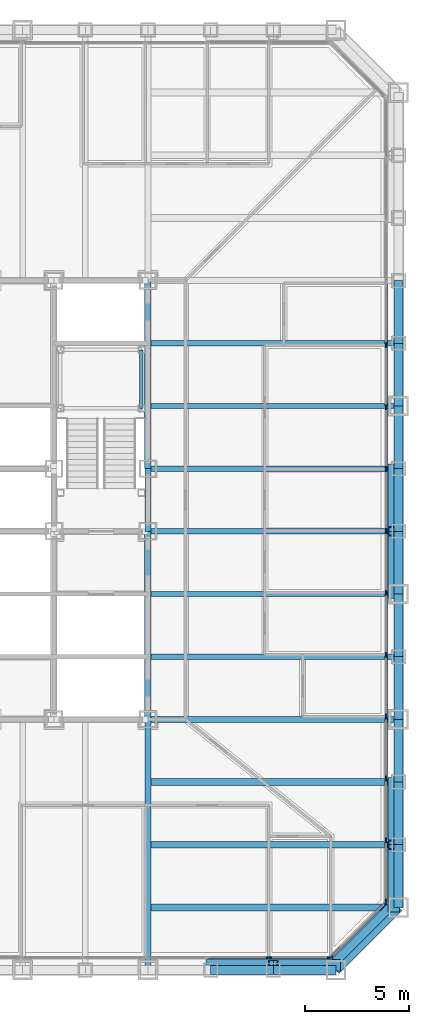
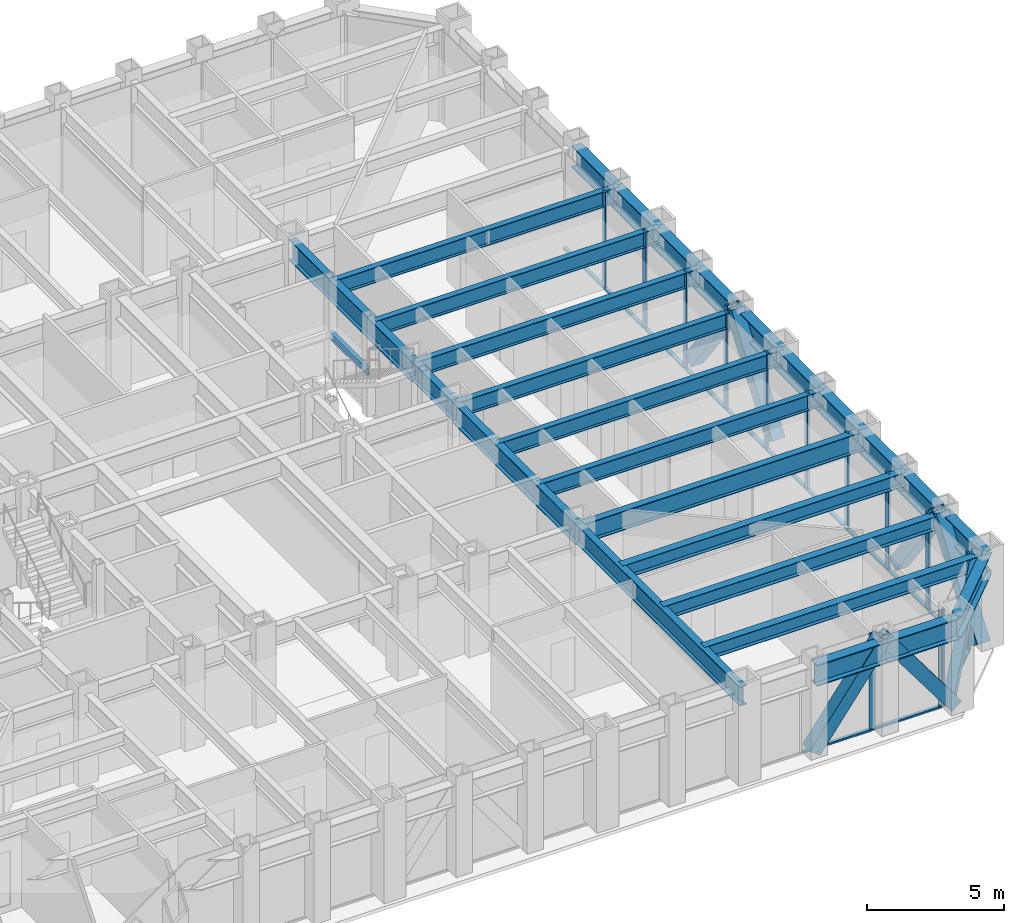
# One storey, part 4 of 17: 34 members, 28 beams, 3 elements without a shape of their own.
"""IFC4 building model written with IfcOpenShell, lengths in metres."""

from ifc_helpers import new_model, si_unit, direction, frame, origin, origin_2d, place, context, subcontext, project, spatial, rectangle, hollow_rectangle, i_section, extrude, material, layer, layer_set, material_profile, profile_set, type_object, element, aggregate, save


model = new_model("IFC4")

# Units and contexts
model_context = context("Model", 3, precision=1e-05, world=origin(), true_north=direction((0.0, 1.0)))
body_context = subcontext(model_context, "Body", "Model", "MODEL_VIEW")
ifc_project = project(units=[si_unit("LENGTHUNIT", "METRE"), si_unit("AREAUNIT", "SQUARE_METRE"), si_unit("VOLUMEUNIT", "CUBIC_METRE"), si_unit("PLANEANGLEUNIT", "RADIAN"), si_unit("MASSUNIT", "GRAM", prefix="KILO")], contexts=[model_context])

# Site, building, storey
site_placement = place(None, origin())
site = spatial("IfcSite", under=ifc_project, at=site_placement, CompositionType="ELEMENT")
building_placement = place(site_placement, origin())
building = spatial("IfcBuilding", under=site, at=building_placement, Name="Chuquiago Exchange Tower", CompositionType="ELEMENT")
storey_placement = place(building_placement, frame((0.0, 0.0, 42.300048828125)))
storey = spatial("IfcBuildingStorey", under=building, at=storey_placement, Name="L08", CompositionType="ELEMENT", Elevation=42.300048828125)

# Beams
ifc_material_1 = material(Name="Steel ASTM A992", Category="steel")
ifc_material_profile_1 = material_profile(ifc_material_1, i_section(OverallWidth=0.307373046875, OverallDepth=0.927001953125, WebThickness=0.01953125, FlangeThickness=0.031982421875, at=origin_2d()), Name="W36X194")
ifc_profile_set_1 = profile_set([ifc_material_profile_1], Name="Steel ASTM A992")
beam_type_1 = type_object("IfcBeamType", Name="B10 W36X194", PredefinedType="BEAM", material=ifc_profile_set_1)
for number, where, z_axis, x_axis, name in (
    (1, (33.0, 12.0, 3.576416015625), (0.0, 1.0, 0.0), (-1.0, 0.0, 0.0), "CB-L09-33_12-33_21"),
    (2, (33.0, 24.0, 3.576416015625), (0.0, 1.0, 0.0), (-1.0, 0.0, 0.0), "CB-L09-33_24-33_33"),
):
    element("IfcBeam", number, at=place(storey_placement, frame(where, z_axis=z_axis, x_axis=x_axis)), inside=storey, type_object=beam_type_1, Name=name, PredefinedType="BEAM", context=body_context, shape_type="SweptSolid", body=[
        extrude(i_section(OverallWidth=0.307373046875, OverallDepth=0.927001953125, WebThickness=0.01953125, FlangeThickness=0.031982421875, at=origin_2d()), origin(), (0.0, 0.0, 1.0), 9.0),
    ])
ifc_material_2 = material(Name="Steel ASTM A992", Category="steel")
ifc_material_profile_2 = material_profile(ifc_material_2, i_section(OverallWidth=0.2919921875, OverallDepth=0.8583984375, WebThickness=0.01708984375, FlangeThickness=0.031005859375, at=origin_2d()), Name="W33X169")
ifc_profile_set_2 = profile_set([ifc_material_profile_2], Name="Steel ASTM A992")
beam_type_2 = type_object("IfcBeamType", Name="B3 W33X169", PredefinedType="BEAM", material=ifc_profile_set_2)
beam_1_placement = place(storey_placement, frame((33.0, 21.0, 3.610595703125), z_axis=(0.0, 1.0, 0.0), x_axis=(-1.0, 0.0, 0.0)))
element("IfcBeam", 3, at=beam_1_placement, inside=storey, type_object=beam_type_2, Name="CB-L09-33_21-33_24", PredefinedType="BEAM", context=body_context, shape_type="SweptSolid", body=[
    extrude(i_section(OverallWidth=0.2919921875, OverallDepth=0.8583984375, WebThickness=0.01708984375, FlangeThickness=0.031005859375, at=origin_2d()), origin(), (0.0, 0.0, 1.0), 3.0),
])
ifc_material_3 = material(Name="Steel ASTM A992", Category="steel")
ifc_material_profile_3 = material_profile(ifc_material_3, i_section(OverallWidth=0.256591796875, OverallDepth=0.693359375, WebThickness=0.014404296875, FlangeThickness=0.023681640625, at=origin_2d()), Name="W27X114")
ifc_profile_set_3 = profile_set([ifc_material_profile_3], Name="Steel ASTM A992")
beam_type_3 = type_object("IfcBeamType", Name="B4 W27X114", PredefinedType="BEAM", material=ifc_profile_set_3)
for number, where, z_axis, x_axis, name in (
    (4, (33.0, 15.0, 3.693359375), (1.0, 0.0, 0.0), (0.0, 1.0, 0.0), "FB-L09-infill-33_15-45_15-0"),
    (5, (33.0, 18.0, 3.693359375), (1.0, 0.0, 0.0), (0.0, 1.0, 0.0), "FB-L09-infill-33_18-45_18-0"),
    (6, (33.0, 21.0, 3.693359375), (1.0, 0.0, 0.0), (0.0, 1.0, 0.0), "FB-L09-infill-33_21-45_21-0"),
    (7, (33.0, 24.0, 3.693359375), (1.0, 0.0, 0.0), (0.0, 1.0, 0.0), "FB-L09-infill-33_24-45_24-0"),
    (8, (33.0, 27.0, 3.693359375), (1.0, 0.0, 0.0), (0.0, 1.0, 0.0), "FB-L09-infill-33_27-45_27-0"),
    (9, (33.0, 30.0, 3.693359375), (1.0, 0.0, 0.0), (0.0, 1.0, 0.0), "FB-L09-infill-33_30-45_30-0"),
):
    element("IfcBeam", number, at=place(storey_placement, frame(where, z_axis=z_axis, x_axis=x_axis)), inside=storey, type_object=beam_type_3, Name=name, PredefinedType="BEAM", context=body_context, shape_type="SweptSolid", body=[
        extrude(i_section(OverallWidth=0.256591796875, OverallDepth=0.693359375, WebThickness=0.014404296875, FlangeThickness=0.023681640625, at=origin_2d()), origin(), (0.0, 0.0, 1.0), 12.0),
    ])
ifc_material_4 = material(Name="Steel ASTM A992", Category="steel")
ifc_material_profile_4 = material_profile(ifc_material_4, i_section(OverallWidth=0.3251953125, OverallDepth=0.6171875, WebThickness=0.013916015625, FlangeThickness=0.021484375, at=origin_2d()), Name="W24X117")
ifc_profile_set_4 = profile_set([ifc_material_profile_4], Name="Steel ASTM A992")
beam_type_4 = type_object("IfcBeamType", Name="B5 W24X117", PredefinedType="BEAM", material=ifc_profile_set_4)
for number, where, z_axis, x_axis, name in (
    (10, (33.0, 3.0, 3.7314453125), (1.0, 0.0, 0.0), (0.0, 1.0, 0.0), "FB-L09-corner-33_3-45_3-0"),
    (11, (33.0, 6.0, 3.7314453125), (1.0, 0.0, 0.0), (0.0, 1.0, 0.0), "FB-L09-corner-33_6-45_6-0"),
    (12, (33.0, 9.0, 3.7314453125), (1.0, 0.0, 0.0), (0.0, 1.0, 0.0), "FB-L09-corner-33_9-45_9-0"),
):
    element("IfcBeam", number, at=place(storey_placement, frame(where, z_axis=z_axis, x_axis=x_axis)), inside=storey, type_object=beam_type_4, Name=name, PredefinedType="BEAM", context=body_context, shape_type="SweptSolid", body=[
        extrude(i_section(OverallWidth=0.3251953125, OverallDepth=0.6171875, WebThickness=0.013916015625, FlangeThickness=0.021484375, at=origin_2d()), origin(), (0.0, 0.0, 1.0), 12.0),
    ])

# Curtain wall, members
ifc_material_5 = material(Name="Aluminium curtain wall system", Category="aluminium")
ifc_layer_1 = layer(ifc_material_5, 0.25)
ifc_layer_set_1 = layer_set([ifc_layer_1], Name="CW1 trading floor curtain wall")
curtain_wall_type_1 = type_object("IfcCurtainWallType", Name="CW1 trading floor curtain wall", PredefinedType="NOTDEFINED", material=ifc_layer_set_1)
curtain_wall_1_placement = place(storey_placement, origin())
curtain_wall_1 = element("IfcCurtainWall", 13, at=curtain_wall_1_placement, inside=storey, type_object=curtain_wall_type_1, Name="CW1 curtain wall L08", PredefinedType="NOTDEFINED")
ifc_material_6 = material(Name="Aluminium mullion, pale anodised", Category="aluminium")
ifc_material_profile_5 = material_profile(ifc_material_6, rectangle(XDim=0.074951171875, YDim=0.25, at=origin_2d()), Name="AL 75x250")
ifc_profile_set_5 = profile_set([ifc_material_profile_5], Name="Aluminium mullion, pale anodised")
member_type_1 = type_object("IfcMemberType", Name="CW1-M mullion 75x250", PredefinedType="MULLION", material=ifc_profile_set_5)
member_1_placement = place(storey_placement, frame((38.789794921875, 0.60009765625, -0.300048828125), z_axis=(0.0, 0.0, 1.0), x_axis=(0.0, 1.0, 0.0)))
member_1 = element("IfcMember", 14, at=member_1_placement, type_object=member_type_1, Name="CW1 mullion 13", PredefinedType="MULLION", context=body_context, shape_type="SweptSolid", body=[
    extrude(rectangle(XDim=0.074951171875, YDim=0.25, at=origin_2d()), origin(), (0.0, 0.0, 1.0), 4.340087890625),
])
member_2_placement = place(storey_placement, frame((41.714111328125, 0.60009765625, -0.300048828125), z_axis=(0.0, 0.0, 1.0), x_axis=(0.0, 1.0, 0.0)))
member_2 = element("IfcMember", 15, at=member_2_placement, type_object=member_type_1, Name="CW1 mullion 14", PredefinedType="MULLION", context=body_context, shape_type="SweptSolid", body=[
    extrude(rectangle(XDim=0.074951171875, YDim=0.25, at=origin_2d()), origin(), (0.0, 0.0, 1.0), 4.340087890625),
])

curtain_wall_2_placement = place(storey_placement, origin())
curtain_wall_2 = element("IfcCurtainWall", 16, at=curtain_wall_2_placement, inside=storey, type_object=curtain_wall_type_1, Name="CW1 curtain wall L08", PredefinedType="NOTDEFINED")
member_3_placement = place(storey_placement, frame((44.39990234375, 3.285888671875, -0.300048828125), z_axis=(0.0, 0.0, 1.0), x_axis=(-1.0, 0.0, 0.0)))
member_3 = element("IfcMember", 17, at=member_3_placement, type_object=member_type_1, Name="CW1 mullion 1", PredefinedType="MULLION", context=body_context, shape_type="SweptSolid", body=[
    extrude(rectangle(XDim=0.074951171875, YDim=0.25, at=origin_2d()), origin(), (0.0, 0.0, 1.0), 4.340087890625),
])
member_4_placement = place(storey_placement, frame((44.39990234375, 6.210205078125, -0.300048828125), z_axis=(0.0, 0.0, 1.0), x_axis=(-1.0, 0.0, 0.0)))
member_4 = element("IfcMember", 18, at=member_4_placement, type_object=member_type_1, Name="CW1 mullion 2", PredefinedType="MULLION", context=body_context, shape_type="SweptSolid", body=[
    extrude(rectangle(XDim=0.074951171875, YDim=0.25, at=origin_2d()), origin(), (0.0, 0.0, 1.0), 4.340087890625),
])
member_5_placement = place(storey_placement, frame((44.39990234375, 9.172119140625, -0.300048828125), z_axis=(0.0, 0.0, 1.0), x_axis=(-1.0, 0.0, 0.0)))
member_5 = element("IfcMember", 19, at=member_5_placement, type_object=member_type_1, Name="CW1 mullion 3", PredefinedType="MULLION", context=body_context, shape_type="SweptSolid", body=[
    extrude(rectangle(XDim=0.074951171875, YDim=0.25, at=origin_2d()), origin(), (0.0, 0.0, 1.0), 4.340087890625),
])
member_6_placement = place(storey_placement, frame((44.39990234375, 12.1337890625, -0.300048828125), z_axis=(0.0, 0.0, 1.0), x_axis=(-1.0, 0.0, 0.0)))
member_6 = element("IfcMember", 20, at=member_6_placement, type_object=member_type_1, Name="CW1 mullion 4", PredefinedType="MULLION", context=body_context, shape_type="SweptSolid", body=[
    extrude(rectangle(XDim=0.074951171875, YDim=0.25, at=origin_2d()), origin(), (0.0, 0.0, 1.0), 4.340087890625),
])
member_7_placement = place(storey_placement, frame((44.39990234375, 15.095458984375, -0.300048828125), z_axis=(0.0, 0.0, 1.0), x_axis=(-1.0, 0.0, 0.0)))
member_7 = element("IfcMember", 21, at=member_7_placement, type_object=member_type_1, Name="CW1 mullion 5", PredefinedType="MULLION", context=body_context, shape_type="SweptSolid", body=[
    extrude(rectangle(XDim=0.074951171875, YDim=0.25, at=origin_2d()), origin(), (0.0, 0.0, 1.0), 4.340087890625),
])
member_8_placement = place(storey_placement, frame((44.39990234375, 18.057373046875, -0.300048828125), z_axis=(0.0, 0.0, 1.0), x_axis=(-1.0, 0.0, 0.0)))
member_8 = element("IfcMember", 22, at=member_8_placement, type_object=member_type_1, Name="CW1 mullion 6", PredefinedType="MULLION", context=body_context, shape_type="SweptSolid", body=[
    extrude(rectangle(XDim=0.074951171875, YDim=0.25, at=origin_2d()), origin(), (0.0, 0.0, 1.0), 4.340087890625),
])
member_9_placement = place(storey_placement, frame((44.39990234375, 21.01904296875, -0.300048828125), z_axis=(0.0, 0.0, 1.0), x_axis=(-1.0, 0.0, 0.0)))
member_9 = element("IfcMember", 23, at=member_9_placement, type_object=member_type_1, Name="CW1 mullion 7", PredefinedType="MULLION", context=body_context, shape_type="SweptSolid", body=[
    extrude(rectangle(XDim=0.074951171875, YDim=0.25, at=origin_2d()), origin(), (0.0, 0.0, 1.0), 4.340087890625),
])
member_10_placement = place(storey_placement, frame((44.39990234375, 23.98095703125, -0.300048828125), z_axis=(0.0, 0.0, 1.0), x_axis=(-1.0, 0.0, 0.0)))
member_10 = element("IfcMember", 24, at=member_10_placement, type_object=member_type_1, Name="CW1 mullion 8", PredefinedType="MULLION", context=body_context, shape_type="SweptSolid", body=[
    extrude(rectangle(XDim=0.074951171875, YDim=0.25, at=origin_2d()), origin(), (0.0, 0.0, 1.0), 4.340087890625),
])
member_11_placement = place(storey_placement, frame((44.39990234375, 26.942626953125, -0.300048828125), z_axis=(0.0, 0.0, 1.0), x_axis=(-1.0, 0.0, 0.0)))
member_11 = element("IfcMember", 25, at=member_11_placement, type_object=member_type_1, Name="CW1 mullion 9", PredefinedType="MULLION", context=body_context, shape_type="SweptSolid", body=[
    extrude(rectangle(XDim=0.074951171875, YDim=0.25, at=origin_2d()), origin(), (0.0, 0.0, 1.0), 4.340087890625),
])
member_12_placement = place(storey_placement, frame((44.39990234375, 29.904541015625, -0.300048828125), z_axis=(0.0, 0.0, 1.0), x_axis=(-1.0, 0.0, 0.0)))
member_12 = element("IfcMember", 26, at=member_12_placement, type_object=member_type_1, Name="CW1 mullion 10", PredefinedType="MULLION", context=body_context, shape_type="SweptSolid", body=[
    extrude(rectangle(XDim=0.074951171875, YDim=0.25, at=origin_2d()), origin(), (0.0, 0.0, 1.0), 4.340087890625),
])

# Member
ifc_material_7 = material(Name="Aluminium transom, pale anodised", Category="aluminium")
ifc_material_profile_6 = material_profile(ifc_material_7, rectangle(XDim=0.14990234375, YDim=0.074951171875, at=origin_2d()), Name="AL 150x75")
ifc_profile_set_6 = profile_set([ifc_material_profile_6], Name="Aluminium transom, pale anodised")
member_type_2 = type_object("IfcMemberType", Name="CW1-T transom 75x150", PredefinedType="MULLION", material=ifc_profile_set_6)
member_13_placement = place(storey_placement, frame((35.865478515625, 0.60009765625, -0.262451171875), z_axis=(1.0, 0.0, 0.0), x_axis=(0.0, 1.0, 0.0)))
member_13 = element("IfcMember", 27, at=member_13_placement, type_object=member_type_2, Name="CW1 transom 12.1", PredefinedType="MULLION", context=body_context, shape_type="SweptSolid", body=[
    extrude(rectangle(XDim=0.14990234375, YDim=0.074951171875, at=origin_2d()), origin(), (0.0, 0.0, 1.0), 2.88671875),
])

member_14_placement = place(storey_placement, frame((38.8271484375, 0.60009765625, -0.262451171875), z_axis=(1.0, 0.0, 0.0), x_axis=(0.0, 1.0, 0.0)))
member_14 = element("IfcMember", 28, at=member_14_placement, type_object=member_type_2, Name="CW1 transom 13.1", PredefinedType="MULLION", context=body_context, shape_type="SweptSolid", body=[
    extrude(rectangle(XDim=0.14990234375, YDim=0.074951171875, at=origin_2d()), origin(), (0.0, 0.0, 1.0), 2.849365234375),
])

aggregate(curtain_wall_1, [member_1, member_2, member_13, member_14])

member_15_placement = place(storey_placement, frame((44.39990234375, 3.323486328125, -0.262451171875), z_axis=(0.0, 1.0, 0.0), x_axis=(-1.0, 0.0, 0.0)))
member_15 = element("IfcMember", 29, at=member_15_placement, type_object=member_type_2, Name="CW1 transom 1.1", PredefinedType="MULLION", context=body_context, shape_type="SweptSolid", body=[
    extrude(rectangle(XDim=0.14990234375, YDim=0.074951171875, at=origin_2d()), origin(), (0.0, 0.0, 1.0), 2.849365234375),
])

member_16_placement = place(storey_placement, frame((44.39990234375, 6.247802734375, -0.262451171875), z_axis=(0.0, 1.0, 0.0), x_axis=(-1.0, 0.0, 0.0)))
member_16 = element("IfcMember", 30, at=member_16_placement, type_object=member_type_2, Name="CW1 transom 2.1", PredefinedType="MULLION", context=body_context, shape_type="SweptSolid", body=[
    extrude(rectangle(XDim=0.14990234375, YDim=0.074951171875, at=origin_2d()), origin(), (0.0, 0.0, 1.0), 2.88671875),
])

member_17_placement = place(storey_placement, frame((44.39990234375, 9.20947265625, -0.262451171875), z_axis=(0.0, 1.0, 0.0), x_axis=(-1.0, 0.0, 0.0)))
member_17 = element("IfcMember", 31, at=member_17_placement, type_object=member_type_2, Name="CW1 transom 3.1", PredefinedType="MULLION", context=body_context, shape_type="SweptSolid", body=[
    extrude(rectangle(XDim=0.14990234375, YDim=0.074951171875, at=origin_2d()), origin(), (0.0, 0.0, 1.0), 2.88671875),
])

member_18_placement = place(storey_placement, frame((44.39990234375, 12.17138671875, -0.262451171875), z_axis=(0.0, 1.0, 0.0), x_axis=(-1.0, 0.0, 0.0)))
member_18 = element("IfcMember", 32, at=member_18_placement, type_object=member_type_2, Name="CW1 transom 4.1", PredefinedType="MULLION", context=body_context, shape_type="SweptSolid", body=[
    extrude(rectangle(XDim=0.14990234375, YDim=0.074951171875, at=origin_2d()), origin(), (0.0, 0.0, 1.0), 2.88671875),
])

member_19_placement = place(storey_placement, frame((44.39990234375, 15.133056640625, -0.262451171875), z_axis=(0.0, 1.0, 0.0), x_axis=(-1.0, 0.0, 0.0)))
member_19 = element("IfcMember", 33, at=member_19_placement, type_object=member_type_2, Name="CW1 transom 5.1", PredefinedType="MULLION", context=body_context, shape_type="SweptSolid", body=[
    extrude(rectangle(XDim=0.14990234375, YDim=0.074951171875, at=origin_2d()), origin(), (0.0, 0.0, 1.0), 2.88671875),
])

member_20_placement = place(storey_placement, frame((44.39990234375, 18.0947265625, -0.262451171875), z_axis=(0.0, 1.0, 0.0), x_axis=(-1.0, 0.0, 0.0)))
member_20 = element("IfcMember", 34, at=member_20_placement, type_object=member_type_2, Name="CW1 transom 6.1", PredefinedType="MULLION", context=body_context, shape_type="SweptSolid", body=[
    extrude(rectangle(XDim=0.14990234375, YDim=0.074951171875, at=origin_2d()), origin(), (0.0, 0.0, 1.0), 2.886962890625),
])

member_21_placement = place(storey_placement, frame((44.39990234375, 21.056640625, -0.262451171875), z_axis=(0.0, 1.0, 0.0), x_axis=(-1.0, 0.0, 0.0)))
member_21 = element("IfcMember", 35, at=member_21_placement, type_object=member_type_2, Name="CW1 transom 7.1", PredefinedType="MULLION", context=body_context, shape_type="SweptSolid", body=[
    extrude(rectangle(XDim=0.14990234375, YDim=0.074951171875, at=origin_2d()), origin(), (0.0, 0.0, 1.0), 2.88671875),
])

member_22_placement = place(storey_placement, frame((44.39990234375, 24.018310546875, -0.262451171875), z_axis=(0.0, 1.0, 0.0), x_axis=(-1.0, 0.0, 0.0)))
member_22 = element("IfcMember", 36, at=member_22_placement, type_object=member_type_2, Name="CW1 transom 8.1", PredefinedType="MULLION", context=body_context, shape_type="SweptSolid", body=[
    extrude(rectangle(XDim=0.14990234375, YDim=0.074951171875, at=origin_2d()), origin(), (0.0, 0.0, 1.0), 2.886962890625),
])

member_23_placement = place(storey_placement, frame((44.39990234375, 26.980224609375, -0.262451171875), z_axis=(0.0, 1.0, 0.0), x_axis=(-1.0, 0.0, 0.0)))
member_23 = element("IfcMember", 37, at=member_23_placement, type_object=member_type_2, Name="CW1 transom 9.1", PredefinedType="MULLION", context=body_context, shape_type="SweptSolid", body=[
    extrude(rectangle(XDim=0.14990234375, YDim=0.074951171875, at=origin_2d()), origin(), (0.0, 0.0, 1.0), 2.88671875),
])

member_24_placement = place(storey_placement, frame((44.39990234375, 29.94189453125, -0.262451171875), z_axis=(0.0, 1.0, 0.0), x_axis=(-1.0, 0.0, 0.0)))
member_24 = element("IfcMember", 38, at=member_24_placement, type_object=member_type_2, Name="CW1 transom 10.1", PredefinedType="MULLION", context=body_context, shape_type="SweptSolid", body=[
    extrude(rectangle(XDim=0.14990234375, YDim=0.074951171875, at=origin_2d()), origin(), (0.0, 0.0, 1.0), 2.88671875),
])

aggregate(curtain_wall_2, [member_3, member_4, member_5, member_6, member_7, member_8, member_9, member_10, member_11, member_12, member_15, member_16, member_17, member_18, member_19, member_20, member_21, member_22, member_23, member_24])

# Curtain wall, members
ifc_material_8 = material(Name="Aluminium curtain wall system", Category="aluminium")
ifc_layer_2 = layer(ifc_material_8, 0.199951171875)
ifc_layer_set_2 = layer_set([ifc_layer_2], Name="CW3 facet curtain wall")
curtain_wall_type_2 = type_object("IfcCurtainWallType", Name="CW3 facet curtain wall", PredefinedType="NOTDEFINED", material=ifc_layer_set_2)
curtain_wall_3_placement = place(storey_placement, origin())
curtain_wall_3 = element("IfcCurtainWall", 39, at=curtain_wall_3_placement, inside=storey, type_object=curtain_wall_type_2, Name="CW3 curtain wall L08", PredefinedType="NOTDEFINED")
ifc_material_9 = material(Name="Aluminium mullion, pale anodised", Category="aluminium")
ifc_material_profile_7 = material_profile(ifc_material_9, rectangle(XDim=0.06494140625, YDim=0.199951171875, at=origin_2d()), Name="AL 65x200")
ifc_profile_set_7 = profile_set([ifc_material_profile_7], Name="Aluminium mullion, pale anodised")
member_type_3 = type_object("IfcMemberType", Name="CW3-M mullion 65x200", PredefinedType="MULLION", material=ifc_profile_set_7)
member_25_placement = place(storey_placement, frame((41.7744140625, 0.623046875, -0.300048828125), z_axis=(0.0, 0.0, 1.0), x_axis=(-0.707106781187, 0.707106781187, 0.0)))
member_25 = element("IfcMember", 40, at=member_25_placement, type_object=member_type_3, Name="CW3 mullion 1", PredefinedType="MULLION", context=body_context, shape_type="SweptSolid", body=[
    extrude(rectangle(XDim=0.06494140625, YDim=0.199951171875, at=origin_2d()), origin(), (0.0, 0.0, 1.0), 4.340087890625),
])
member_26_placement = place(storey_placement, frame((44.376953125, 3.2255859375, -0.300048828125), z_axis=(0.0, 0.0, 1.0), x_axis=(-0.707106781187, 0.707106781187, 0.0)))
member_26 = element("IfcMember", 41, at=member_26_placement, type_object=member_type_3, Name="CW3 mullion 2", PredefinedType="MULLION", context=body_context, shape_type="SweptSolid", body=[
    extrude(rectangle(XDim=0.06494140625, YDim=0.199951171875, at=origin_2d()), origin(), (0.0, 0.0, 1.0), 4.340087890625),
])
ifc_material_10 = material(Name="Aluminium transom, pale anodised", Category="aluminium")
ifc_material_profile_8 = material_profile(ifc_material_10, rectangle(XDim=0.139892578125, YDim=0.06494140625, at=origin_2d()), Name="AL 140x65")
ifc_profile_set_8 = profile_set([ifc_material_profile_8], Name="Aluminium transom, pale anodised")
member_type_4 = type_object("IfcMemberType", Name="CW3-T transom 65x140", PredefinedType="MULLION", material=ifc_profile_set_8)
member_27_placement = place(storey_placement, frame((41.79736328125, 0.64599609375, -0.267578125), z_axis=(0.707106781187, 0.707106781187, 0.0), x_axis=(-0.707106781187, 0.707106781187, 0.0)))
member_27 = element("IfcMember", 42, at=member_27_placement, type_object=member_type_4, Name="CW3 transom 1.1", PredefinedType="MULLION", context=body_context, shape_type="SweptSolid", body=[
    extrude(rectangle(XDim=0.139892578125, YDim=0.06494140625, at=origin_2d()), origin(), (0.0, 0.0, 1.0), 3.61572265625),
])
aggregate(curtain_wall_3, [member_25, member_26, member_27])

# Beams
ifc_material_11 = material(Name="Steel ASTM A992", Category="steel")
ifc_material_profile_9 = material_profile(ifc_material_11, i_section(OverallWidth=0.2919921875, OverallDepth=0.8583984375, WebThickness=0.01708984375, FlangeThickness=0.031005859375, at=origin_2d()), Name="W33X169")
ifc_profile_set_9 = profile_set([ifc_material_profile_9], Name="Steel ASTM A992")
beam_type_5 = type_object("IfcBeamType", Name="G2 W33X169", PredefinedType="BEAM", material=ifc_profile_set_9)
for number, where, z_axis, x_axis, name in (
    (43, (33.0, 12.0, 3.610595703125), (0.0, -1.0, 0.0), (1.0, 0.0, 0.0), "FB-L09-girder-33_12-33_-0-0"),
    (44, (33.0, 12.0, 3.610595703125), (1.0, 0.0, 0.0), (0.0, 1.0, 0.0), "FB-L09-girder-33_12-45_12-0"),
):
    element("IfcBeam", number, at=place(storey_placement, frame(where, z_axis=z_axis, x_axis=x_axis)), inside=storey, type_object=beam_type_5, Name=name, PredefinedType="BEAM", context=body_context, shape_type="SweptSolid", body=[
        extrude(i_section(OverallWidth=0.2919921875, OverallDepth=0.8583984375, WebThickness=0.01708984375, FlangeThickness=0.031005859375, at=origin_2d()), origin(), (0.0, 0.0, 1.0), 12.0),
    ])

# Member
ifc_material_12 = material(Name="Steel ASTM A500 Grade C", Category="steel")
ifc_material_profile_10 = material_profile(ifc_material_12, hollow_rectangle(XDim=0.406494140625, YDim=0.406494140625, WallThickness=0.0146484375, at=origin_2d()), Name="HSS16X16X5/8")
ifc_profile_set_10 = profile_set([ifc_material_profile_10], Name="Steel ASTM A500 Grade C")
member_type_5 = type_object("IfcMemberType", Name="LB4 HSS16X16X5/8", PredefinedType="BRACE", material=ifc_profile_set_10)
member_28_placement = place(storey_placement, frame((41.78662109375, 0.21337890625, 0.0), z_axis=(0.512077265487, 0.512077265487, 0.689604051861), x_axis=(-0.707106781187, 0.707106781187, 0.0)))
element("IfcMember", 45, at=member_28_placement, inside=storey, type_object=member_type_5, Name="LB-L08-42_0-45_3", PredefinedType="BRACE", context=body_context, shape_type="SweptSolid", body=[
    extrude(hollow_rectangle(XDim=0.406494140625, YDim=0.406494140625, WallThickness=0.0146484375, at=origin_2d()), origin(), (0.0, 0.0, 1.0), 5.8583984375),
])

# Beam
ifc_material_13 = material(Name="Steel ASTM A992", Category="steel")
ifc_material_profile_11 = material_profile(ifc_material_13, i_section(OverallWidth=0.164794921875, OverallDepth=0.309814453125, WebThickness=0.005859375, FlangeThickness=0.009765625, at=origin_2d()), Name="W12X26")
ifc_profile_set_11 = profile_set([ifc_material_profile_11], Name="Steel ASTM A992")
beam_type_6 = type_object("IfcBeamType", Name="LS1 W12X26", PredefinedType="BEAM", material=ifc_profile_set_11)
beam_2_placement = place(storey_placement, frame((32.68994140625, 26.889892578125, 1.89501953125), z_axis=(0.0, 1.0, 0.0), x_axis=(-1.0, 0.0, 0.0)))
element("IfcBeam", 46, at=beam_2_placement, inside=storey, type_object=beam_type_6, Name="Stair ST2 L08 landing 1 stringer", PredefinedType="BEAM", context=body_context, shape_type="SweptSolid", body=[
    extrude(i_section(OverallWidth=0.164794921875, OverallDepth=0.309814453125, WebThickness=0.005859375, FlangeThickness=0.009765625, at=origin_2d()), origin(), (0.0, 0.0, 1.0), 2.800048828125),
])

# Members
ifc_material_14 = material(Name="Steel ASTM A572 Grade 50", Category="steel")
ifc_material_profile_12 = material_profile(ifc_material_14, hollow_rectangle(XDim=0.550048828125, YDim=0.550048828125, WallThickness=0.044921875, at=origin_2d()), Name="BOX550X550X45")
ifc_profile_set_12 = profile_set([ifc_material_profile_12], Name="Steel ASTM A572 Grade 50")
member_type_6 = type_object("IfcMemberType", Name="MB1 BOX550X550X45", PredefinedType="BRACE", material=ifc_profile_set_12)
for number, where, z_axis, x_axis, name in (
    (47, (36.0, 0.22998046875, 0.0), (0.596173923302, 0.0, 0.802855312728), (0.0, 1.0, 0.0), "Mega diagonal L08 S face"),
    (48, (42.0, 0.22998046875, 0.0), (-0.596173923302, 0.0, 0.802855312728), (0.0, -1.0, 0.0), "Mega diagonal L08 S face"),
    (49, (44.77001953125, 3.0, 0.0), (0.0, 0.596173923302, 0.802855312728), (-1.0, 0.0, 0.0), "Mega diagonal L08 E face"),
    (50, (44.77001953125, 9.0, 0.0), (0.0, -0.596173923302, 0.802855312728), (1.0, 0.0, 0.0), "Mega diagonal L08 E face"),
    (51, (44.77001953125, 18.0, 0.0), (0.0, 0.596173923302, 0.802855312728), (-1.0, 0.0, 0.0), "Mega diagonal L08 E face"),
    (52, (44.77001953125, 24.0, 0.0), (0.0, -0.596173923302, 0.802855312728), (1.0, 0.0, 0.0), "Mega diagonal L08 E face"),
):
    element("IfcMember", number, at=place(storey_placement, frame(where, z_axis=z_axis, x_axis=x_axis)), inside=storey, type_object=member_type_6, Name=name, PredefinedType="BRACE", context=body_context, shape_type="SweptSolid", body=[
        extrude(hollow_rectangle(XDim=0.550048828125, YDim=0.550048828125, WallThickness=0.044921875, at=origin_2d()), origin(), (0.0, 0.0, 1.0), 5.031982421875),
    ])

# Beams
ifc_material_15 = material(Name="Steel ASTM A992", Category="steel")
ifc_material_profile_13 = material_profile(ifc_material_15, i_section(OverallWidth=0.424072265625, OverallDepth=0.947509765625, WebThickness=0.02392578125, FlangeThickness=0.042724609375, at=origin_2d()), Name="W36X302")
ifc_profile_set_13 = profile_set([ifc_material_profile_13], Name="Steel ASTM A992")
beam_type_7 = type_object("IfcBeamType", Name="SP1 W36X302", PredefinedType="SPANDREL", material=ifc_profile_set_13)
for number, where, z_axis, x_axis, name in (
    (53, (36.0, 0.0, 3.566162109375), (1.0, 0.0, 0.0), (0.0, 1.0, 0.0), "SPB-L09-36_0-39_0"),
    (54, (39.0, 0.0, 3.566162109375), (1.0, 0.0, 0.0), (0.0, 1.0, 0.0), "SPB-L09-39_0-42_0"),
):
    element("IfcBeam", number, at=place(storey_placement, frame(where, z_axis=z_axis, x_axis=x_axis)), inside=storey, type_object=beam_type_7, Name=name, PredefinedType="SPANDREL", context=body_context, shape_type="SweptSolid", body=[
        extrude(i_section(OverallWidth=0.424072265625, OverallDepth=0.947509765625, WebThickness=0.02392578125, FlangeThickness=0.042724609375, at=origin_2d()), origin(), (0.0, 0.0, 1.0), 3.0),
    ])
beam_3_placement = place(storey_placement, frame((42.0, 0.0, 3.566162109375), z_axis=(0.707106781187, 0.707106781187, 0.0), x_axis=(-0.707106781187, 0.707106781187, 0.0)))
element("IfcBeam", 55, at=beam_3_placement, inside=storey, type_object=beam_type_7, Name="SPB-L09-42_0-45_3", PredefinedType="SPANDREL", context=body_context, shape_type="SweptSolid", body=[
    extrude(i_section(OverallWidth=0.424072265625, OverallDepth=0.947509765625, WebThickness=0.02392578125, FlangeThickness=0.042724609375, at=origin_2d()), origin(), (0.0, 0.0, 1.0), 4.24267578125),
])
for number, where, z_axis, x_axis, name in (
    (56, (45.0, 3.0, 3.566162109375), (0.0, 1.0, 0.0), (-1.0, 0.0, 0.0), "SPB-L09-45_3-45_6"),
    (57, (45.0, 6.0, 3.566162109375), (0.0, 1.0, 0.0), (-1.0, 0.0, 0.0), "SPB-L09-45_6-45_9"),
    (58, (45.0, 9.0, 3.566162109375), (0.0, 1.0, 0.0), (-1.0, 0.0, 0.0), "SPB-L09-45_9-45_12"),
    (59, (45.0, 12.0, 3.566162109375), (0.0, 1.0, 0.0), (-1.0, 0.0, 0.0), "SPB-L09-45_12-45_15"),
    (60, (45.0, 15.0, 3.566162109375), (0.0, 1.0, 0.0), (-1.0, 0.0, 0.0), "SPB-L09-45_15-45_18"),
    (61, (45.0, 18.0, 3.566162109375), (0.0, 1.0, 0.0), (-1.0, 0.0, 0.0), "SPB-L09-45_18-45_21"),
    (62, (45.0, 21.0, 3.566162109375), (0.0, 1.0, 0.0), (-1.0, 0.0, 0.0), "SPB-L09-45_21-45_24"),
    (63, (45.0, 24.0, 3.566162109375), (0.0, 1.0, 0.0), (-1.0, 0.0, 0.0), "SPB-L09-45_24-45_27"),
    (64, (45.0, 27.0, 3.566162109375), (0.0, 1.0, 0.0), (-1.0, 0.0, 0.0), "SPB-L09-45_27-45_30"),
    (65, (45.0, 30.0, 3.566162109375), (0.0, 1.0, 0.0), (-1.0, 0.0, 0.0), "SPB-L09-45_30-45_33"),
):
    element("IfcBeam", number, at=place(storey_placement, frame(where, z_axis=z_axis, x_axis=x_axis)), inside=storey, type_object=beam_type_7, Name=name, PredefinedType="SPANDREL", context=body_context, shape_type="SweptSolid", body=[
        extrude(i_section(OverallWidth=0.424072265625, OverallDepth=0.947509765625, WebThickness=0.02392578125, FlangeThickness=0.042724609375, at=origin_2d()), origin(), (0.0, 0.0, 1.0), 3.0),
    ])

save(model, "model.ifc")
